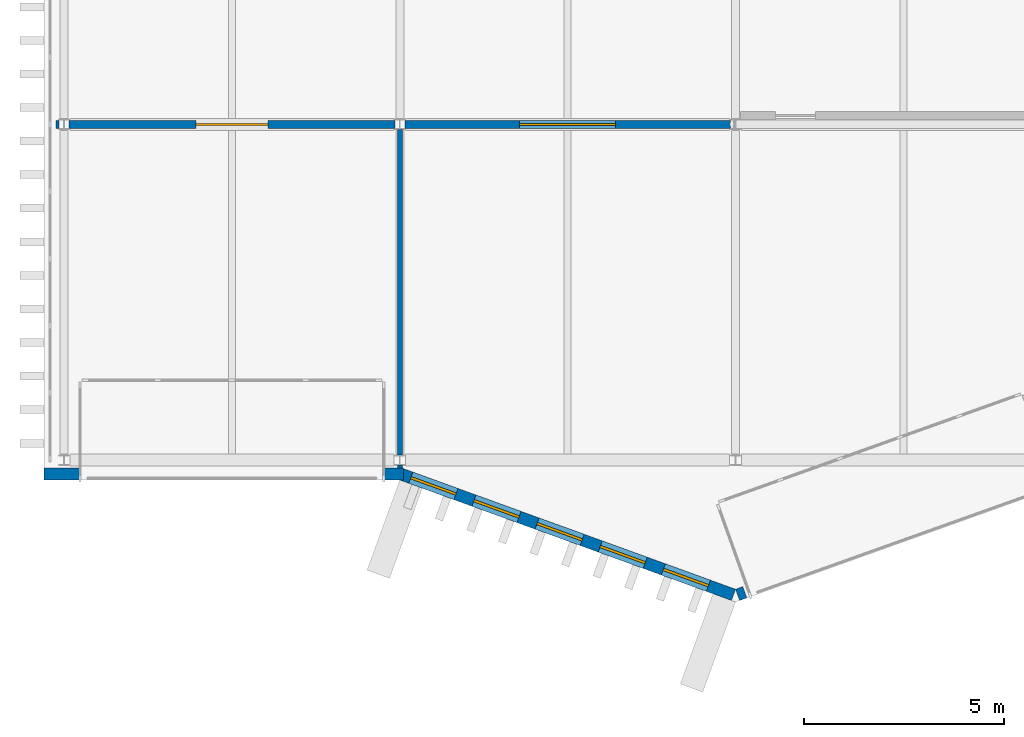
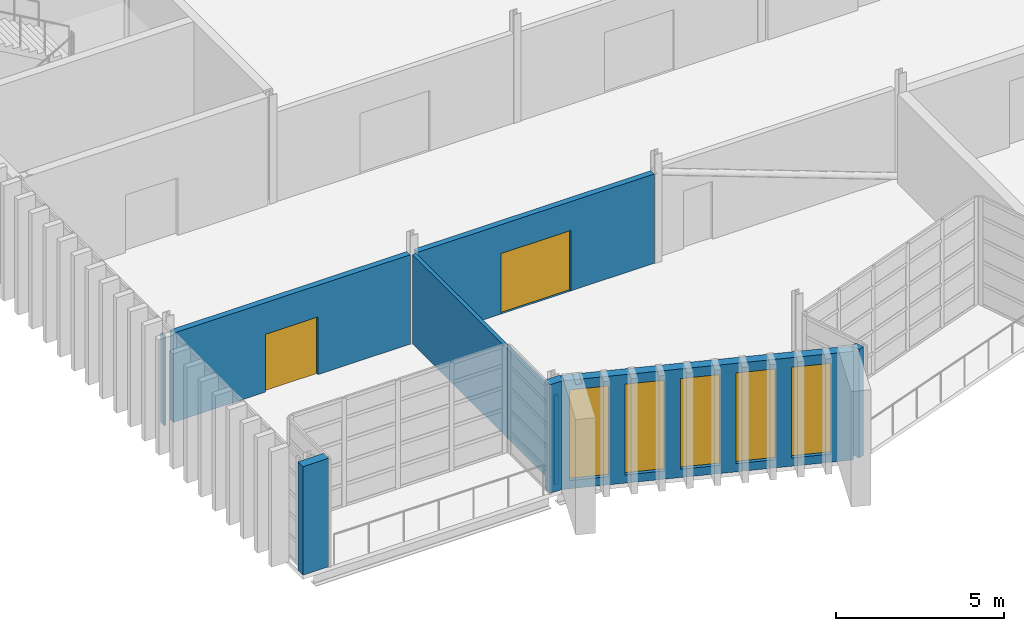
# One storey, part 53 of 88: 9 walls, 5 windows, 2 doors, 7 openings.
"""IFC4 building model written with IfcOpenShell, lengths in metres."""

from ifc_helpers import new_model, si_unit, direction, frame, frame_2d, origin, place, context, subcontext, project, spatial, rectangle, extrude, material, layer, layer_set, type_object, element, fill, save


model = new_model("IFC4")

# Units and contexts
model_context = context("Model", 3, precision=1e-05, world=origin(), true_north=direction((0.0, 1.0)))
body_context = subcontext(model_context, "Body", "Model", "MODEL_VIEW")
ifc_project = project(units=[si_unit("LENGTHUNIT", "METRE"), si_unit("AREAUNIT", "SQUARE_METRE"), si_unit("VOLUMEUNIT", "CUBIC_METRE"), si_unit("PLANEANGLEUNIT", "RADIAN"), si_unit("MASSUNIT", "GRAM", prefix="KILO")], contexts=[model_context])

# Site, building, storey
site_placement = place(None, origin())
site = spatial("IfcSite", under=ifc_project, at=site_placement, CompositionType="ELEMENT")
building_placement = place(site_placement, origin())
building = spatial("IfcBuilding", under=site, at=building_placement, Name="Cresset Court Congress Hotel", CompositionType="ELEMENT")
storey_placement = place(building_placement, frame((0.0, 0.0, 14.39990234375)))
storey = spatial("IfcBuildingStorey", under=building, at=storey_placement, Name="L03", CompositionType="ELEMENT", Elevation=14.39990234375)

# Walls
ifc_material_1 = material(Name="Concrete C40", Category="concrete")
ifc_layer_1 = layer(ifc_material_1, 0.300048828125)
ifc_layer_set_1 = layer_set([ifc_layer_1], Name="External wall 300 Concrete C40")
wall_type_1 = type_object("IfcWallType", Name="External wall 300 Concrete C40", PredefinedType="SOLIDWALL", material=ifc_layer_set_1)
wall_1_placement = place(storey_placement, frame((7.89990234375, -0.35009765625, 0.0), z_axis=(0.0, 0.0, 1.0), x_axis=(1.0, 0.0, 0.0)))
element("IfcWall", 1, at=wall_1_placement, inside=storey, type_object=wall_type_1, Name="External wall", PredefinedType="SOLIDWALL", context=body_context, shape_type="SweptSolid", body=[
    extrude(rectangle(XDim=0.900146484375, YDim=0.300048828125, at=frame_2d((0.4501953125, 0.0))), origin(), (0.0, 0.0, 1.0), 3.9501953125),
])
wall_2_placement = place(storey_placement, frame((16.39990234375, -0.35009765625, 0.0), z_axis=(0.0, 0.0, 1.0), x_axis=(1.0, 0.0, 0.0)))
element("IfcWall", 2, at=wall_2_placement, inside=storey, type_object=wall_type_1, Name="External wall", PredefinedType="SOLIDWALL", context=body_context, shape_type="SweptSolid", body=[
    extrude(rectangle(XDim=0.5, YDim=0.300048828125, at=frame_2d((0.25, 0.0))), origin(), (0.0, 0.0, 1.0), 3.9501953125),
])

# Wall, openings, windows
wall_3_placement = place(storey_placement, frame((16.851318359375, -0.35888671875, 0.0), z_axis=(0.0, 0.0, 1.0), x_axis=(0.939953187971, -0.341303390584, 0.0)))
wall_3 = element("IfcWall", 3, at=wall_3_placement, inside=storey, type_object=wall_type_1, Name="External wall", PredefinedType="SOLIDWALL", context=body_context, shape_type="SweptSolid", body=[
    extrude(rectangle(XDim=8.828369140625, YDim=0.300048828125, at=frame_2d((4.4140625, 0.0))), origin(), (0.0, 0.0, 1.0), 3.9501953125),
])
opening_1_placement = place(wall_3_placement, frame((0.239990234375, 0.0, 0.300048828125)))
opening_1 = element("IfcOpeningElement", 4, at=opening_1_placement, cuts=wall_3, Name="Opening NB-03-14", PredefinedType="OPENING", context=body_context, shape_type="SweptSolid", body=[
    extrude(rectangle(XDim=1.199951171875, YDim=3.300048828125, at=frame_2d((0.60009765625, 1.64990234375))), frame((0.0, 0.159912109375, 0.0), z_axis=(0.0, -1.0, 0.0), x_axis=(1.0, 0.0, 0.0)), (0.0, 0.0, 1.0), 0.320068359375),
])
opening_2_placement = place(wall_3_placement, frame((1.919921875, 0.0, 0.300048828125)))
opening_2 = element("IfcOpeningElement", 5, at=opening_2_placement, cuts=wall_3, Name="Opening NB-03-15", PredefinedType="OPENING", context=body_context, shape_type="SweptSolid", body=[
    extrude(rectangle(XDim=1.199951171875, YDim=3.300048828125, at=frame_2d((0.60009765625, 1.64990234375))), frame((0.0, 0.159912109375, 0.0), z_axis=(0.0, -1.0, 0.0), x_axis=(1.0, 0.0, 0.0)), (0.0, 0.0, 1.0), 0.320068359375),
])
opening_3_placement = place(wall_3_placement, frame((3.60009765625, 0.0, 0.300048828125)))
opening_3 = element("IfcOpeningElement", 6, at=opening_3_placement, cuts=wall_3, Name="Opening NB-03-16", PredefinedType="OPENING", context=body_context, shape_type="SweptSolid", body=[
    extrude(rectangle(XDim=1.199951171875, YDim=3.300048828125, at=frame_2d((0.60009765625, 1.64990234375))), frame((0.0, 0.159912109375, 0.0), z_axis=(0.0, -1.0, 0.0), x_axis=(1.0, 0.0, 0.0)), (0.0, 0.0, 1.0), 0.320068359375),
])
opening_4_placement = place(wall_3_placement, frame((5.280029296875, 0.0, 0.300048828125)))
opening_4 = element("IfcOpeningElement", 7, at=opening_4_placement, cuts=wall_3, Name="Opening NB-03-17", PredefinedType="OPENING", context=body_context, shape_type="SweptSolid", body=[
    extrude(rectangle(XDim=1.199951171875, YDim=3.300048828125, at=frame_2d((0.60009765625, 1.64990234375))), frame((0.0, 0.159912109375, 0.0), z_axis=(0.0, -1.0, 0.0), x_axis=(1.0, 0.0, 0.0)), (0.0, 0.0, 1.0), 0.320068359375),
])
opening_5_placement = place(wall_3_placement, frame((6.9599609375, 0.0, 0.300048828125)))
opening_5 = element("IfcOpeningElement", 8, at=opening_5_placement, cuts=wall_3, Name="Opening NB-03-18", PredefinedType="OPENING", context=body_context, shape_type="SweptSolid", body=[
    extrude(rectangle(XDim=1.199951171875, YDim=3.300048828125, at=frame_2d((0.60009765625, 1.64990234375))), frame((0.0, 0.159912109375, 0.0), z_axis=(0.0, -1.0, 0.0), x_axis=(1.0, 0.0, 0.0)), (0.0, 0.0, 1.0), 0.320068359375),
])
ifc_material_2 = material(Name="Aluminium frame with double glazing", Category="aluminium")
window_type = type_object("IfcWindowType", Name="Window 1200x3300", PartitioningType="TRIPLE_PANEL_VERTICAL", PredefinedType="WINDOW", material=ifc_material_2)
window_1_placement = place(opening_1_placement, origin())
window_1 = element("IfcWindow", 9, at=window_1_placement, inside=storey, type_object=window_type, Name="Window NB-03-14", OverallHeight=3.300048828125, OverallWidth=1.199951171875, PartitioningType="TRIPLE_PANEL_VERTICAL", PredefinedType="WINDOW", context=body_context, shape_type="SweptSolid", body=[
    extrude(rectangle(XDim=1.199951171875, YDim=3.300048828125, at=frame_2d((0.60009765625, 1.64990234375))), frame((0.0, 0.030029296875, 0.0), z_axis=(0.0, -1.0, 0.0), x_axis=(1.0, 0.0, 0.0)), (0.0, 0.0, 1.0), 0.06005859375),
])
fill(opening_1, window_1)
window_2_placement = place(opening_2_placement, origin())
window_2 = element("IfcWindow", 10, at=window_2_placement, inside=storey, type_object=window_type, Name="Window NB-03-15", OverallHeight=3.300048828125, OverallWidth=1.199951171875, PartitioningType="TRIPLE_PANEL_VERTICAL", PredefinedType="WINDOW", context=body_context, shape_type="SweptSolid", body=[
    extrude(rectangle(XDim=1.199951171875, YDim=3.300048828125, at=frame_2d((0.60009765625, 1.64990234375))), frame((0.0, 0.030029296875, 0.0), z_axis=(0.0, -1.0, 0.0), x_axis=(1.0, 0.0, 0.0)), (0.0, 0.0, 1.0), 0.06005859375),
])
fill(opening_2, window_2)
window_3_placement = place(opening_3_placement, origin())
window_3 = element("IfcWindow", 11, at=window_3_placement, inside=storey, type_object=window_type, Name="Window NB-03-16", OverallHeight=3.300048828125, OverallWidth=1.199951171875, PartitioningType="TRIPLE_PANEL_VERTICAL", PredefinedType="WINDOW", context=body_context, shape_type="SweptSolid", body=[
    extrude(rectangle(XDim=1.199951171875, YDim=3.300048828125, at=frame_2d((0.60009765625, 1.64990234375))), frame((0.0, 0.030029296875, 0.0), z_axis=(0.0, -1.0, 0.0), x_axis=(1.0, 0.0, 0.0)), (0.0, 0.0, 1.0), 0.06005859375),
])
fill(opening_3, window_3)
window_4_placement = place(opening_4_placement, origin())
window_4 = element("IfcWindow", 12, at=window_4_placement, inside=storey, type_object=window_type, Name="Window NB-03-17", OverallHeight=3.300048828125, OverallWidth=1.199951171875, PartitioningType="TRIPLE_PANEL_VERTICAL", PredefinedType="WINDOW", context=body_context, shape_type="SweptSolid", body=[
    extrude(rectangle(XDim=1.199951171875, YDim=3.300048828125, at=frame_2d((0.60009765625, 1.64990234375))), frame((0.0, 0.030029296875, 0.0), z_axis=(0.0, -1.0, 0.0), x_axis=(1.0, 0.0, 0.0)), (0.0, 0.0, 1.0), 0.06005859375),
])
fill(opening_4, window_4)
window_5_placement = place(opening_5_placement, origin())
window_5 = element("IfcWindow", 13, at=window_5_placement, inside=storey, type_object=window_type, Name="Window NB-03-18", OverallHeight=3.300048828125, OverallWidth=1.199951171875, PartitioningType="TRIPLE_PANEL_VERTICAL", PredefinedType="WINDOW", context=body_context, shape_type="SweptSolid", body=[
    extrude(rectangle(XDim=1.199951171875, YDim=3.300048828125, at=frame_2d((0.60009765625, 1.64990234375))), frame((0.0, 0.030029296875, 0.0), z_axis=(0.0, -1.0, 0.0), x_axis=(1.0, 0.0, 0.0)), (0.0, 0.0, 1.0), 0.06005859375),
])
fill(opening_5, window_5)

# Walls
wall_4_placement = place(storey_placement, frame((25.251220703125, -3.372314453125, 0.0), z_axis=(0.0, 0.0, 1.0), x_axis=(0.942000485661, 0.335611509061, 0.0)))
element("IfcWall", 14, at=wall_4_placement, inside=storey, type_object=wall_type_1, Name="External wall", PredefinedType="SOLIDWALL", context=body_context, shape_type="SweptSolid", body=[
    extrude(rectangle(XDim=0.192138671875, YDim=0.300048828125, at=frame_2d((0.09619140625, 0.0))), origin(), (0.0, 0.0, 1.0), 3.9501953125),
])
ifc_material_3 = material(Name="Gypsum board on steel studs", Category="steel")
ifc_layer_2 = layer(ifc_material_3, 0.199951171875)
ifc_layer_set_2 = layer_set([ifc_layer_2], Name="Foyer wall 200")
wall_type_2 = type_object("IfcWallType", Name="Foyer wall 200", PredefinedType="PARTITIONING", material=ifc_layer_set_2)
wall_5_placement = place(storey_placement, frame((8.199951171875, 8.39990234375, 0.0), z_axis=(0.0, 0.0, 1.0), x_axis=(1.0, 0.0, 0.0)))
element("IfcWall", 15, at=wall_5_placement, inside=storey, type_object=wall_type_2, Name="Foyer wall", PredefinedType="PARTITIONING", context=body_context, shape_type="SweptSolid", body=[
    extrude(rectangle(XDim=0.074951171875, YDim=0.199951171875, at=frame_2d((0.03759765625, 0.0))), origin(), (0.0, 0.0, 1.0), 3.25),
])

# Wall, opening, door
wall_6_placement = place(storey_placement, frame((8.52490234375, 8.39990234375, 0.0), z_axis=(0.0, 0.0, 1.0), x_axis=(1.0, 0.0, 0.0)))
wall_6 = element("IfcWall", 16, at=wall_6_placement, inside=storey, type_object=wall_type_2, Name="Foyer wall", PredefinedType="PARTITIONING", context=body_context, shape_type="SweptSolid", body=[
    extrude(rectangle(XDim=8.150146484375, YDim=0.199951171875, at=frame_2d((4.0751953125, 0.0))), origin(), (0.0, 0.0, 1.0), 3.25),
])
opening_6_placement = place(wall_6_placement, frame((3.175048828125, 0.0, 0.0)))
opening_6 = element("IfcOpeningElement", 17, at=opening_6_placement, cuts=wall_6, Name="Opening DB-03-01", PredefinedType="OPENING", context=body_context, shape_type="SweptSolid", body=[
    extrude(rectangle(XDim=1.800048828125, YDim=2.10009765625, at=frame_2d((0.89990234375, 1.050048828125))), frame((0.0, 0.10986328125, 0.0), z_axis=(0.0, -1.0, 0.0), x_axis=(1.0, 0.0, 0.0)), (0.0, 0.0, 1.0), 0.219970703125),
])
ifc_material_4 = material(Name="Timber and steel frame", Category="steel")
door_type_1 = type_object("IfcDoorType", Name="Fire door FD30 double 1800x2100", OperationType="DOUBLE_DOOR_SINGLE_SWING", PredefinedType="DOOR", material=ifc_material_4)
door_1_placement = place(opening_6_placement, origin())
door_1 = element("IfcDoor", 18, at=door_1_placement, inside=storey, type_object=door_type_1, Name="Meeting Room door", OperationType="DOUBLE_DOOR_SINGLE_SWING", OverallHeight=2.10009765625, OverallWidth=1.800048828125, PredefinedType="DOOR", context=body_context, shape_type="SweptSolid", body=[
    extrude(rectangle(XDim=1.800048828125, YDim=2.10009765625, at=frame_2d((0.89990234375, 1.050048828125))), frame((0.0, 0.02490234375, 0.0), z_axis=(0.0, -1.0, 0.0), x_axis=(1.0, 0.0, 0.0)), (0.0, 0.0, 1.0), 0.050048828125),
])
fill(opening_6, door_1)

wall_7_placement = place(storey_placement, frame((16.925048828125, 8.39990234375, 0.0), z_axis=(0.0, 0.0, 1.0), x_axis=(1.0, 0.0, 0.0)))
wall_7 = element("IfcWall", 19, at=wall_7_placement, inside=storey, type_object=wall_type_2, Name="Foyer wall", PredefinedType="PARTITIONING", context=body_context, shape_type="SweptSolid", body=[
    extrude(rectangle(XDim=8.14990234375, YDim=0.199951171875, at=frame_2d((4.074951171875, 0.0))), origin(), (0.0, 0.0, 1.0), 3.25),
])
opening_7_placement = place(wall_7_placement, frame((2.875, 0.0, 0.0)))
opening_7 = element("IfcOpeningElement", 20, at=opening_7_placement, cuts=wall_7, Name="Opening DB-03-02", PredefinedType="OPENING", context=body_context, shape_type="SweptSolid", body=[
    extrude(rectangle(XDim=2.39990234375, YDim=2.199951171875, at=frame_2d((1.199951171875, 1.10009765625))), frame((0.0, 0.10986328125, 0.0), z_axis=(0.0, -1.0, 0.0), x_axis=(1.0, 0.0, 0.0)), (0.0, 0.0, 1.0), 0.219970703125),
])
ifc_material_5 = material(Name="Timber and steel frame", Category="steel")
door_type_2 = type_object("IfcDoorType", Name="Fire door FD30 double 2400x2200", OperationType="DOUBLE_DOOR_SINGLE_SWING", PredefinedType="DOOR", material=ifc_material_5)
door_2_placement = place(opening_7_placement, origin())
door_2 = element("IfcDoor", 21, at=door_2_placement, inside=storey, type_object=door_type_2, Name="Meeting Room door", OperationType="DOUBLE_DOOR_SINGLE_SWING", OverallHeight=2.199951171875, OverallWidth=2.39990234375, PredefinedType="DOOR", context=body_context, shape_type="SweptSolid", body=[
    extrude(rectangle(XDim=2.39990234375, YDim=2.199951171875, at=frame_2d((1.199951171875, 1.10009765625))), frame((0.0, 0.02490234375, 0.0), z_axis=(0.0, -1.0, 0.0), x_axis=(1.0, 0.0, 0.0)), (0.0, 0.0, 1.0), 0.050048828125),
])
fill(opening_7, door_2)

# Walls
ifc_material_6 = material(Name="Laminated timber panels", Category="wood")
ifc_layer_3 = layer(ifc_material_6, 0.125)
ifc_layer_set_3 = layer_set([ifc_layer_3], Name="Operable partition 125")
wall_type_3 = type_object("IfcWallType", Name="Operable partition 125", PredefinedType="MOVABLE", material=ifc_layer_set_3)
wall_8_placement = place(storey_placement, frame((16.800048828125, -0.199951171875, 0.0), z_axis=(0.0, 0.0, 1.0), x_axis=(0.0, 1.0, 0.0)))
element("IfcWall", 22, at=wall_8_placement, inside=storey, type_object=wall_type_3, Name="Operable partition", PredefinedType="MOVABLE", context=body_context, shape_type="SweptSolid", body=[
    extrude(rectangle(XDim=0.074951171875, YDim=0.125, at=frame_2d((0.03759765625, 0.0))), origin(), (0.0, 0.0, 1.0), 3.25),
])
wall_9_placement = place(storey_placement, frame((16.800048828125, 0.125, 0.0), z_axis=(0.0, 0.0, 1.0), x_axis=(0.0, 1.0, 0.0)))
element("IfcWall", 23, at=wall_9_placement, inside=storey, type_object=wall_type_3, Name="Operable partition", PredefinedType="MOVABLE", context=body_context, shape_type="SweptSolid", body=[
    extrude(rectangle(XDim=8.14990234375, YDim=0.125, at=frame_2d((4.074951171875, 0.0))), origin(), (0.0, 0.0, 1.0), 3.25),
])

save(model, "model.ifc")
